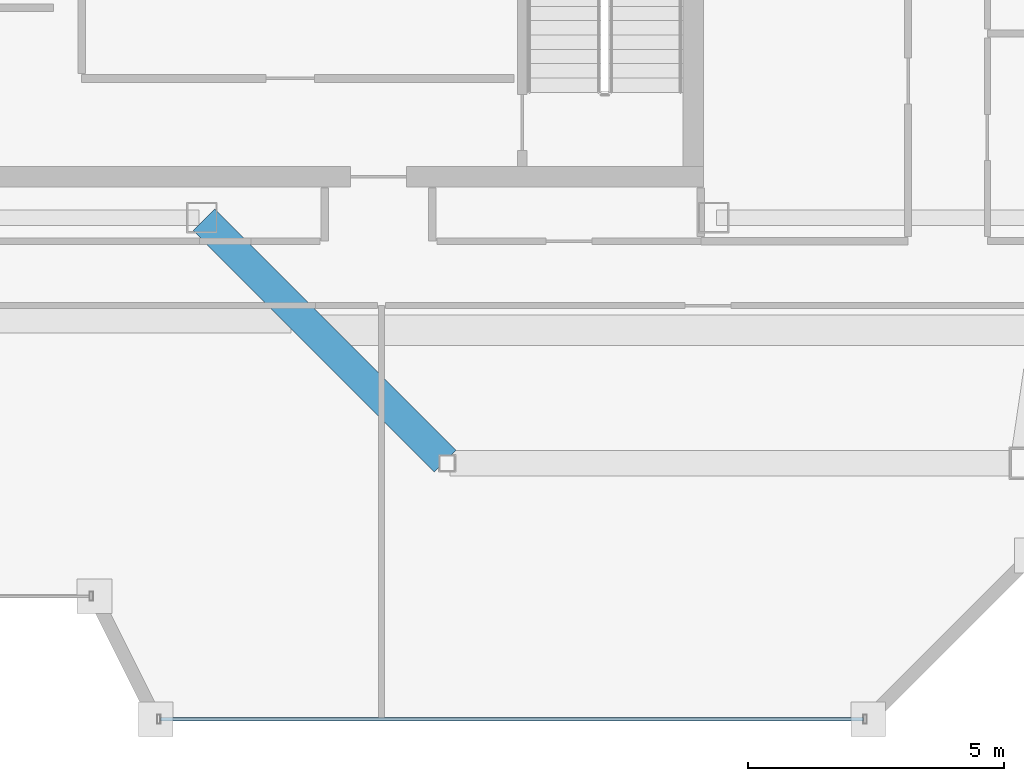
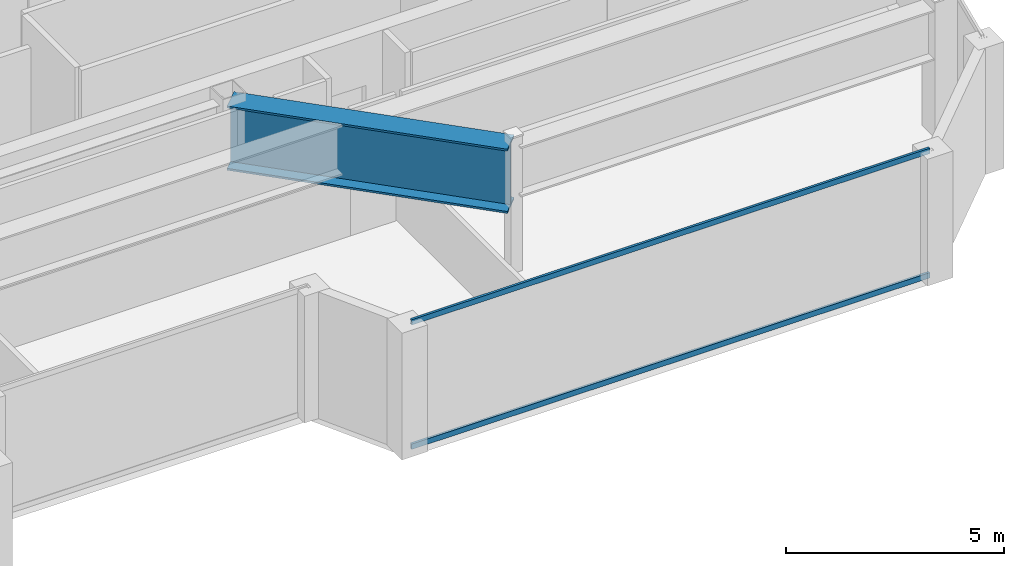
# One storey, part 12 of 24: 2 members, 1 beam, 1 element without a shape of its own.
"""IFC4 building model written with IfcOpenShell, lengths in metres."""

from ifc_helpers import new_model, si_unit, direction, frame, origin, origin_2d, place, context, subcontext, project, spatial, hollow_rectangle, i_section, extrude, material, material_profile, profile_set, type_object, element, aggregate, save


model = new_model("IFC4")

# Units and contexts
model_context = context("Model", 3, precision=1e-05, world=origin(), true_north=direction((0.0, 1.0)))
body_context = subcontext(model_context, "Body", "Model", "MODEL_VIEW")
ifc_project = project(units=[si_unit("LENGTHUNIT", "METRE"), si_unit("AREAUNIT", "SQUARE_METRE"), si_unit("VOLUMEUNIT", "CUBIC_METRE"), si_unit("PLANEANGLEUNIT", "RADIAN"), si_unit("MASSUNIT", "GRAM", prefix="KILO")], contexts=[model_context])

# Site, building, storey
site_placement = place(None, origin())
site = spatial("IfcSite", under=ifc_project, at=site_placement, CompositionType="ELEMENT")
building_placement = place(site_placement, origin())
building = spatial("IfcBuilding", under=site, at=building_placement, Name="Saevonmaru Cultural Tower", CompositionType="ELEMENT")
storey_placement = place(building_placement, frame((0.0, 0.0, 306.60009765625)))
storey = spatial("IfcBuildingStorey", under=building, at=storey_placement, Name="L73", CompositionType="ELEMENT", Elevation=306.60009765625)

# Beam
ifc_material_1 = material(Name="Steel HSA600 (600 MPa)", Category="steel")
ifc_material_profile_1 = material_profile(ifc_material_1, i_section(OverallWidth=0.60009765625, OverallDepth=1.800048828125, WebThickness=0.028076171875, FlangeThickness=0.054931640625, at=origin_2d()), Name="PG-1800x600x28x55")
ifc_profile_set_1 = profile_set([ifc_material_profile_1], Name="Steel HSA600 (600 MPa)")
beam_type = type_object("IfcBeamType", Name="BM-TG-PG1800", PredefinedType="BEAM", material=ifc_profile_set_1)
beam_placement = place(storey_placement, frame((41.149658203125, 37.642578125, 2.64990234375), z_axis=(-0.706538566564, 0.707674539572, 0.0), x_axis=(-0.707674539572, -0.706538566564, 0.0)))
element("IfcBeam", 1, at=beam_placement, inside=storey, type_object=beam_type, Name="L73 East Atrium Girder 1", PredefinedType="BEAM", context=body_context, shape_type="SweptSolid", body=[
    extrude(i_section(OverallWidth=0.60009765625, OverallDepth=1.800048828125, WebThickness=0.028076171875, FlangeThickness=0.054931640625, at=origin_2d()), origin(), (0.0, 0.0, 1.0), 6.662353515625),
])

# Curtain wall, members
ifc_material_2 = material(Name="Satin Bronze Anodised Aluminium", Category="aluminium")
curtain_wall_type = type_object("IfcCurtainWallType", Name="CW-TYP-B", PredefinedType="NOTDEFINED", material=ifc_material_2)
curtain_wall_placement = place(storey_placement, origin())
curtain_wall = element("IfcCurtainWall", 2, at=curtain_wall_placement, inside=storey, type_object=curtain_wall_type, Name="L73 Unitised Curtain Wall E6", PredefinedType="NOTDEFINED")
ifc_material_profile_2 = material_profile(ifc_material_2, hollow_rectangle(XDim=0.06494140625, YDim=0.14990234375, WallThickness=0.00390625, at=origin_2d()), Name="ALU-TRAN-150x65x4")
ifc_profile_set_2 = profile_set([ifc_material_profile_2], Name="Satin Bronze Anodised Aluminium")
member_type = type_object("IfcMemberType", Name="TR-CW-150x65", PredefinedType="USERDEFINED", material=ifc_profile_set_2)
member_1_placement = place(storey_placement, frame((35.592529296875, 32.60009765625, 0.032470703125), z_axis=(1.0, 0.0, 0.0), x_axis=(0.0, 1.0, 0.0)))
member_1 = element("IfcMember", 3, at=member_1_placement, type_object=member_type, Name="CW-TW-L73-E6 transom 1.1", ObjectType="TRANSOM", PredefinedType="USERDEFINED", context=body_context, shape_type="SweptSolid", body=[
    extrude(hollow_rectangle(XDim=0.06494140625, YDim=0.14990234375, WallThickness=0.00390625, at=origin_2d()), origin(), (0.0, 0.0, 1.0), 13.73486328125),
])
member_2_placement = place(storey_placement, frame((35.592529296875, 32.60009765625, 3.517333984375), z_axis=(1.0, 0.0, 0.0), x_axis=(0.0, 1.0, 0.0)))
member_2 = element("IfcMember", 4, at=member_2_placement, type_object=member_type, Name="CW-TW-L73-E6 transom 1.2", ObjectType="TRANSOM", PredefinedType="USERDEFINED", context=body_context, shape_type="SweptSolid", body=[
    extrude(hollow_rectangle(XDim=0.06494140625, YDim=0.14990234375, WallThickness=0.00390625, at=origin_2d()), origin(), (0.0, 0.0, 1.0), 13.73486328125),
])
aggregate(curtain_wall, [member_1, member_2])

save(model, "model.ifc")
